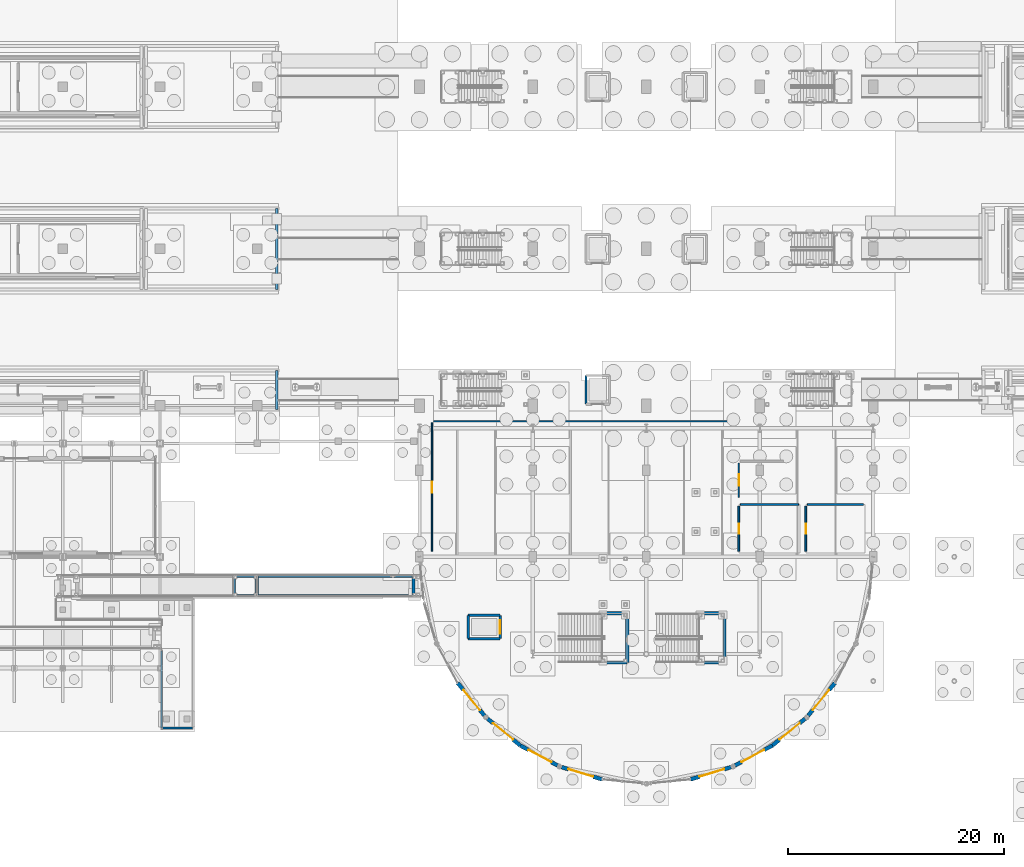
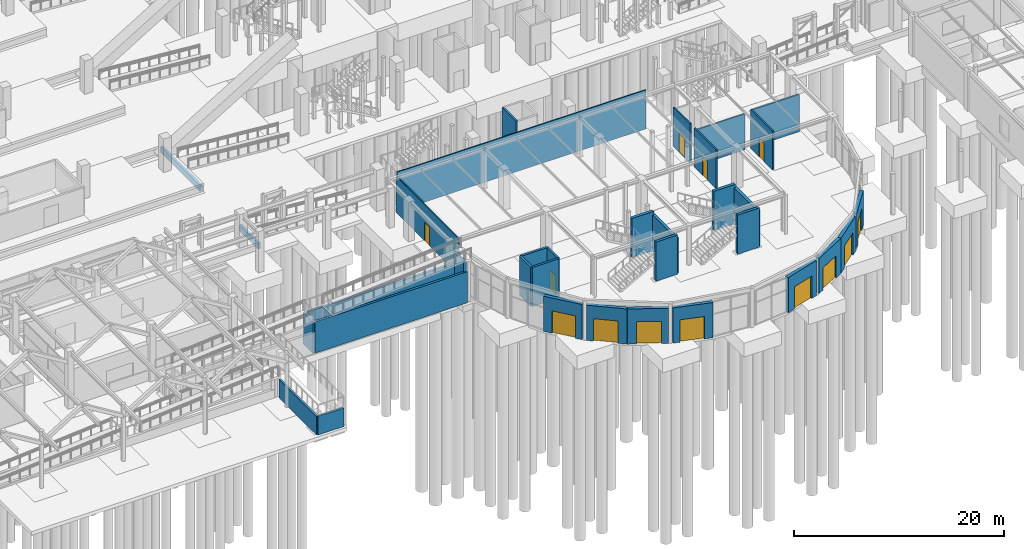
# One storey, part 100 of 160: 35 walls, 13 doors, 13 openings.
"""IFC4 building model written with IfcOpenShell, lengths in metres."""

from ifc_helpers import new_model, si_unit, direction, frame, frame_2d, origin, place, context, subcontext, project, spatial, rectangle, extrude, material, layer, layer_set, type_object, element, fill, save


model = new_model("IFC4")

# Units and contexts
model_context = context("Model", 3, precision=1e-05, world=origin(), true_north=direction((0.0, 1.0)))
body_context = subcontext(model_context, "Body", "Model", "MODEL_VIEW")
ifc_project = project(units=[si_unit("LENGTHUNIT", "METRE"), si_unit("AREAUNIT", "SQUARE_METRE"), si_unit("VOLUMEUNIT", "CUBIC_METRE"), si_unit("PLANEANGLEUNIT", "RADIAN"), si_unit("MASSUNIT", "GRAM", prefix="KILO")], contexts=[model_context])

# Site, building, storey
site_placement = place(None, origin())
site = spatial("IfcSite", under=ifc_project, at=site_placement, CompositionType="ELEMENT")
building_placement = place(site_placement, origin())
building = spatial("IfcBuilding", under=site, at=building_placement, Name="Marlcrest Central Station", CompositionType="ELEMENT")
storey_placement = place(building_placement, origin())
storey = spatial("IfcBuildingStorey", under=building, at=storey_placement, Name="L00", CompositionType="ELEMENT", Elevation=0.0)

# Walls
ifc_material_1 = material(Name="Concrete C40/50", Category="concrete")
ifc_layer_1 = layer(ifc_material_1, 0.199951171875, Name="EP-01")
ifc_layer_set_1 = layer_set([ifc_layer_1], Name="Concrete C40/50")
wall_type_1 = type_object("IfcWallType", Name="EP-01", PredefinedType="PARAPET", material=ifc_layer_set_1)
wall_1_placement = place(storey_placement, frame((63.14990234375, 6.64990234375, 0.0), z_axis=(0.0, 0.0, 1.0), x_axis=(1.0, 0.0, 0.0)))
element("IfcWall", 1, at=wall_1_placement, inside=storey, type_object=wall_type_1, Name="ewall-L00-0265", PredefinedType="PARAPET", context=body_context, shape_type="SweptSolid", body=[
    extrude(rectangle(XDim=2.85009765625, YDim=0.199951171875, at=frame_2d((1.425048828125, 0.0))), origin(), (0.0, 0.0, 1.0), 2.14990234375),
])
wall_2_placement = place(storey_placement, frame((63.14990234375, 6.64990234375, 0.0), z_axis=(0.0, 0.0, 1.0), x_axis=(0.0, 1.0, 0.0)))
element("IfcWall", 2, at=wall_2_placement, inside=storey, type_object=wall_type_1, Name="ewall-L00-0266", PredefinedType="PARAPET", context=body_context, shape_type="SweptSolid", body=[
    extrude(rectangle(XDim=7.150146484375, YDim=0.199951171875, at=frame_2d((3.5751953125, 0.0))), origin(), (0.0, 0.0, 1.0), 2.14990234375),
])

# Wall, opening, door
ifc_material_2 = material(Name="St. Thomas limestone on Concrete C40/50", Category="masonry")
ifc_layer_2 = layer(ifc_material_2, 0.360107421875, Name="EW-06")
ifc_layer_set_2 = layer_set([ifc_layer_2], Name="St. Thomas limestone on Concrete C40/50")
wall_type_2 = type_object("IfcWallType", Name="EW-06", PredefinedType="SOLIDWALL", material=ifc_layer_set_2)
wall_3_placement = place(storey_placement, frame((93.02490234375, 7.803955078125, 0.0), z_axis=(0.0, 0.0, 1.0), x_axis=(-0.634387261914, 0.773015395656, 0.0)))
wall_3 = element("IfcWall", 3, at=wall_3_placement, inside=storey, type_object=wall_type_2, Name="ewall-L00-0001", PredefinedType="SOLIDWALL", context=body_context, shape_type="SweptSolid", body=[
    extrude(rectangle(XDim=3.91845703125, YDim=0.360107421875, at=frame_2d((1.959228515625, 0.0))), origin(), (0.0, 0.0, 1.0), 4.10009765625),
])
opening_1_placement = place(wall_3_placement, frame((0.65087890625, 0.0, 0.0)))
opening_1 = element("IfcOpeningElement", 4, at=opening_1_placement, cuts=wall_3, Name="Opening ED-02", PredefinedType="OPENING", context=body_context, shape_type="SweptSolid", body=[
    extrude(rectangle(XDim=2.39990234375, YDim=2.60009765625, at=frame_2d((1.199951171875, 1.300048828125))), frame((0.0, 0.18994140625, 0.0), z_axis=(0.0, -1.0, 0.0), x_axis=(1.0, 0.0, 0.0)), (0.0, 0.0, 1.0), 0.380126953125),
])
ifc_material_3 = material(Name="Thermally broken anodised aluminium and laminated safety glass", Category="aluminium")
door_type_1 = type_object("IfcDoorType", Name="ED-02", OperationType="DOUBLE_DOOR_SINGLE_SWING", PredefinedType="DOOR", material=ifc_material_3)
door_1_placement = place(opening_1_placement, origin())
door_1 = element("IfcDoor", 5, at=door_1_placement, inside=storey, type_object=door_type_1, Name="South Concourse Pedestrian Exit Door 001", OperationType="DOUBLE_DOOR_SINGLE_SWING", OverallHeight=2.60009765625, OverallWidth=2.39990234375, PredefinedType="DOOR", context=body_context, shape_type="SweptSolid", body=[
    extrude(rectangle(XDim=2.39990234375, YDim=2.60009765625, at=frame_2d((1.199951171875, 1.300048828125))), frame((0.0, 0.02490234375, 0.0), z_axis=(0.0, -1.0, 0.0), x_axis=(1.0, 0.0, 0.0)), (0.0, 0.0, 1.0), 0.050048828125),
])
fill(opening_1, door_1)

wall_4_placement = place(storey_placement, frame((96.3330078125, 5.0390625, 0.0), z_axis=(0.0, 0.0, 1.0), x_axis=(-0.773015395656, 0.634387261914, 0.0)))
wall_4 = element("IfcWall", 6, at=wall_4_placement, inside=storey, type_object=wall_type_2, Name="ewall-L00-0002", PredefinedType="SOLIDWALL", context=body_context, shape_type="SweptSolid", body=[
    extrude(rectangle(XDim=3.91845703125, YDim=0.360107421875, at=frame_2d((1.959228515625, 0.0))), origin(), (0.0, 0.0, 1.0), 4.10009765625),
])
opening_2_placement = place(wall_4_placement, frame((0.84912109375, 0.0, 0.0)))
opening_2 = element("IfcOpeningElement", 7, at=opening_2_placement, cuts=wall_4, Name="Opening ED-02", PredefinedType="OPENING", context=body_context, shape_type="SweptSolid", body=[
    extrude(rectangle(XDim=2.39990234375, YDim=2.60009765625, at=frame_2d((1.199951171875, 1.300048828125))), frame((0.0, 0.18994140625, 0.0), z_axis=(0.0, -1.0, 0.0), x_axis=(1.0, 0.0, 0.0)), (0.0, 0.0, 1.0), 0.380126953125),
])
door_2_placement = place(opening_2_placement, origin())
door_2 = element("IfcDoor", 8, at=door_2_placement, inside=storey, type_object=door_type_1, Name="South Concourse Pedestrian Exit Door 002", OperationType="DOUBLE_DOOR_SINGLE_SWING", OverallHeight=2.60009765625, OverallWidth=2.39990234375, PredefinedType="DOOR", context=body_context, shape_type="SweptSolid", body=[
    extrude(rectangle(XDim=2.39990234375, YDim=2.60009765625, at=frame_2d((1.199951171875, 1.300048828125))), frame((0.0, 0.02490234375, 0.0), z_axis=(0.0, -1.0, 0.0), x_axis=(1.0, 0.0, 0.0)), (0.0, 0.0, 1.0), 0.050048828125),
])
fill(opening_2, door_2)

wall_5_placement = place(storey_placement, frame((99.7890625, 3.19189453125, 0.0), z_axis=(0.0, 0.0, 1.0), x_axis=(-0.881935241061, 0.471370587303, 0.0)))
wall_5 = element("IfcWall", 9, at=wall_5_placement, inside=storey, type_object=wall_type_2, Name="ewall-L00-0003", PredefinedType="SOLIDWALL", context=body_context, shape_type="SweptSolid", body=[
    extrude(rectangle(XDim=3.918701171875, YDim=0.360107421875, at=frame_2d((1.95947265625, 0.0))), origin(), (0.0, 0.0, 1.0), 4.10009765625),
])
opening_3_placement = place(wall_5_placement, frame((0.65087890625, 0.0, 0.0)))
opening_3 = element("IfcOpeningElement", 10, at=opening_3_placement, cuts=wall_5, Name="Opening ED-02", PredefinedType="OPENING", context=body_context, shape_type="SweptSolid", body=[
    extrude(rectangle(XDim=2.39990234375, YDim=2.60009765625, at=frame_2d((1.199951171875, 1.300048828125))), frame((0.0, 0.18994140625, 0.0), z_axis=(0.0, -1.0, 0.0), x_axis=(1.0, 0.0, 0.0)), (0.0, 0.0, 1.0), 0.380126953125),
])
door_3_placement = place(opening_3_placement, origin())
door_3 = element("IfcDoor", 11, at=door_3_placement, inside=storey, type_object=door_type_1, Name="South Concourse Pedestrian Exit Door 003", OperationType="DOUBLE_DOOR_SINGLE_SWING", OverallHeight=2.60009765625, OverallWidth=2.39990234375, PredefinedType="DOOR", context=body_context, shape_type="SweptSolid", body=[
    extrude(rectangle(XDim=2.39990234375, YDim=2.60009765625, at=frame_2d((1.199951171875, 1.300048828125))), frame((0.0, 0.02490234375, 0.0), z_axis=(0.0, -1.0, 0.0), x_axis=(1.0, 0.0, 0.0)), (0.0, 0.0, 1.0), 0.050048828125),
])
fill(opening_3, door_3)

wall_6_placement = place(storey_placement, frame((103.903076171875, 1.904052734375, 0.0), z_axis=(0.0, 0.0, 1.0), x_axis=(-0.956960962515, 0.290216671166, 0.0)))
wall_6 = element("IfcWall", 12, at=wall_6_placement, inside=storey, type_object=wall_type_2, Name="ewall-L00-0004", PredefinedType="SOLIDWALL", context=body_context, shape_type="SweptSolid", body=[
    extrude(rectangle(XDim=3.917724609375, YDim=0.360107421875, at=frame_2d((1.958984375, 0.0))), origin(), (0.0, 0.0, 1.0), 4.10009765625),
])
opening_4_placement = place(wall_6_placement, frame((0.84912109375, 0.0, 0.0)))
opening_4 = element("IfcOpeningElement", 13, at=opening_4_placement, cuts=wall_6, Name="Opening ED-02", PredefinedType="OPENING", context=body_context, shape_type="SweptSolid", body=[
    extrude(rectangle(XDim=2.39990234375, YDim=2.60009765625, at=frame_2d((1.199951171875, 1.300048828125))), frame((0.0, 0.18994140625, 0.0), z_axis=(0.0, -1.0, 0.0), x_axis=(1.0, 0.0, 0.0)), (0.0, 0.0, 1.0), 0.380126953125),
])
door_4_placement = place(opening_4_placement, origin())
door_4 = element("IfcDoor", 14, at=door_4_placement, inside=storey, type_object=door_type_1, Name="South Concourse Pedestrian Exit Door 004", OperationType="DOUBLE_DOOR_SINGLE_SWING", OverallHeight=2.60009765625, OverallWidth=2.39990234375, PredefinedType="DOOR", context=body_context, shape_type="SweptSolid", body=[
    extrude(rectangle(XDim=2.39990234375, YDim=2.60009765625, at=frame_2d((1.199951171875, 1.300048828125))), frame((0.0, 0.02490234375, 0.0), z_axis=(0.0, -1.0, 0.0), x_axis=(1.0, 0.0, 0.0)), (0.0, 0.0, 1.0), 0.050048828125),
])
fill(opening_4, door_4)

wall_7_placement = place(storey_placement, frame((115.845947265625, 3.041015625, 0.0), z_axis=(0.0, 0.0, 1.0), x_axis=(-0.956960962515, -0.290216671166, 0.0)))
wall_7 = element("IfcWall", 15, at=wall_7_placement, inside=storey, type_object=wall_type_2, Name="ewall-L00-0005", PredefinedType="SOLIDWALL", context=body_context, shape_type="SweptSolid", body=[
    extrude(rectangle(XDim=3.917724609375, YDim=0.360107421875, at=frame_2d((1.958984375, 0.0))), origin(), (0.0, 0.0, 1.0), 4.10009765625),
])
opening_5_placement = place(wall_7_placement, frame((0.65087890625, 0.0, 0.0)))
opening_5 = element("IfcOpeningElement", 16, at=opening_5_placement, cuts=wall_7, Name="Opening ED-02", PredefinedType="OPENING", context=body_context, shape_type="SweptSolid", body=[
    extrude(rectangle(XDim=2.39990234375, YDim=2.60009765625, at=frame_2d((1.199951171875, 1.300048828125))), frame((0.0, 0.18994140625, 0.0), z_axis=(0.0, -1.0, 0.0), x_axis=(1.0, 0.0, 0.0)), (0.0, 0.0, 1.0), 0.380126953125),
])
door_5_placement = place(opening_5_placement, origin())
door_5 = element("IfcDoor", 17, at=door_5_placement, inside=storey, type_object=door_type_1, Name="South Concourse Pedestrian Exit Door 005", OperationType="DOUBLE_DOOR_SINGLE_SWING", OverallHeight=2.60009765625, OverallWidth=2.39990234375, PredefinedType="DOOR", context=body_context, shape_type="SweptSolid", body=[
    extrude(rectangle(XDim=2.39990234375, YDim=2.60009765625, at=frame_2d((1.199951171875, 1.300048828125))), frame((0.0, 0.02490234375, 0.0), z_axis=(0.0, -1.0, 0.0), x_axis=(1.0, 0.0, 0.0)), (0.0, 0.0, 1.0), 0.050048828125),
])
fill(opening_5, door_5)

wall_8_placement = place(storey_placement, frame((119.6669921875, 5.0390625, 0.0), z_axis=(0.0, 0.0, 1.0), x_axis=(-0.881935241061, -0.471370587303, 0.0)))
wall_8 = element("IfcWall", 18, at=wall_8_placement, inside=storey, type_object=wall_type_2, Name="ewall-L00-0006", PredefinedType="SOLIDWALL", context=body_context, shape_type="SweptSolid", body=[
    extrude(rectangle(XDim=3.918701171875, YDim=0.360107421875, at=frame_2d((1.95947265625, 0.0))), origin(), (0.0, 0.0, 1.0), 4.10009765625),
])
opening_6_placement = place(wall_8_placement, frame((0.84912109375, 0.0, 0.0)))
opening_6 = element("IfcOpeningElement", 19, at=opening_6_placement, cuts=wall_8, Name="Opening ED-02", PredefinedType="OPENING", context=body_context, shape_type="SweptSolid", body=[
    extrude(rectangle(XDim=2.39990234375, YDim=2.60009765625, at=frame_2d((1.199951171875, 1.300048828125))), frame((0.0, 0.18994140625, 0.0), z_axis=(0.0, -1.0, 0.0), x_axis=(1.0, 0.0, 0.0)), (0.0, 0.0, 1.0), 0.380126953125),
])
door_6_placement = place(opening_6_placement, origin())
door_6 = element("IfcDoor", 20, at=door_6_placement, inside=storey, type_object=door_type_1, Name="South Concourse Pedestrian Exit Door 006", OperationType="DOUBLE_DOOR_SINGLE_SWING", OverallHeight=2.60009765625, OverallWidth=2.39990234375, PredefinedType="DOOR", context=body_context, shape_type="SweptSolid", body=[
    extrude(rectangle(XDim=2.39990234375, YDim=2.60009765625, at=frame_2d((1.199951171875, 1.300048828125))), frame((0.0, 0.02490234375, 0.0), z_axis=(0.0, -1.0, 0.0), x_axis=(1.0, 0.0, 0.0)), (0.0, 0.0, 1.0), 0.050048828125),
])
fill(opening_6, door_6)

wall_9_placement = place(storey_placement, frame((122.696044921875, 7.52490234375, 0.0), z_axis=(0.0, 0.0, 1.0), x_axis=(-0.773015395656, -0.634387261914, 0.0)))
wall_9 = element("IfcWall", 21, at=wall_9_placement, inside=storey, type_object=wall_type_2, Name="ewall-L00-0007", PredefinedType="SOLIDWALL", context=body_context, shape_type="SweptSolid", body=[
    extrude(rectangle(XDim=3.91845703125, YDim=0.360107421875, at=frame_2d((1.959228515625, 0.0))), origin(), (0.0, 0.0, 1.0), 4.10009765625),
])
opening_7_placement = place(wall_9_placement, frame((0.65087890625, 0.0, 0.0)))
opening_7 = element("IfcOpeningElement", 22, at=opening_7_placement, cuts=wall_9, Name="Opening ED-02", PredefinedType="OPENING", context=body_context, shape_type="SweptSolid", body=[
    extrude(rectangle(XDim=2.39990234375, YDim=2.60009765625, at=frame_2d((1.199951171875, 1.300048828125))), frame((0.0, 0.18994140625, 0.0), z_axis=(0.0, -1.0, 0.0), x_axis=(1.0, 0.0, 0.0)), (0.0, 0.0, 1.0), 0.380126953125),
])
door_7_placement = place(opening_7_placement, origin())
door_7 = element("IfcDoor", 23, at=door_7_placement, inside=storey, type_object=door_type_1, Name="South Concourse Pedestrian Exit Door 007", OperationType="DOUBLE_DOOR_SINGLE_SWING", OverallHeight=2.60009765625, OverallWidth=2.39990234375, PredefinedType="DOOR", context=body_context, shape_type="SweptSolid", body=[
    extrude(rectangle(XDim=2.39990234375, YDim=2.60009765625, at=frame_2d((1.199951171875, 1.300048828125))), frame((0.0, 0.02490234375, 0.0), z_axis=(0.0, -1.0, 0.0), x_axis=(1.0, 0.0, 0.0)), (0.0, 0.0, 1.0), 0.050048828125),
])
fill(opening_7, door_7)

wall_10_placement = place(storey_placement, frame((125.4609375, 10.8330078125, 0.0), z_axis=(0.0, 0.0, 1.0), x_axis=(-0.634387261914, -0.773015395656, 0.0)))
wall_10 = element("IfcWall", 24, at=wall_10_placement, inside=storey, type_object=wall_type_2, Name="ewall-L00-0008", PredefinedType="SOLIDWALL", context=body_context, shape_type="SweptSolid", body=[
    extrude(rectangle(XDim=3.91845703125, YDim=0.360107421875, at=frame_2d((1.959228515625, 0.0))), origin(), (0.0, 0.0, 1.0), 4.10009765625),
])
opening_8_placement = place(wall_10_placement, frame((0.84912109375, 0.0, 0.0)))
opening_8 = element("IfcOpeningElement", 25, at=opening_8_placement, cuts=wall_10, Name="Opening ED-02", PredefinedType="OPENING", context=body_context, shape_type="SweptSolid", body=[
    extrude(rectangle(XDim=2.39990234375, YDim=2.60009765625, at=frame_2d((1.199951171875, 1.300048828125))), frame((0.0, 0.18994140625, 0.0), z_axis=(0.0, -1.0, 0.0), x_axis=(1.0, 0.0, 0.0)), (0.0, 0.0, 1.0), 0.380126953125),
])
door_8_placement = place(opening_8_placement, origin())
door_8 = element("IfcDoor", 26, at=door_8_placement, inside=storey, type_object=door_type_1, Name="South Concourse Pedestrian Exit Door 008", OperationType="DOUBLE_DOOR_SINGLE_SWING", OverallHeight=2.60009765625, OverallWidth=2.39990234375, PredefinedType="DOOR", context=body_context, shape_type="SweptSolid", body=[
    extrude(rectangle(XDim=2.39990234375, YDim=2.60009765625, at=frame_2d((1.199951171875, 1.300048828125))), frame((0.0, 0.02490234375, 0.0), z_axis=(0.0, -1.0, 0.0), x_axis=(1.0, 0.0, 0.0)), (0.0, 0.0, 1.0), 0.050048828125),
])
fill(opening_8, door_8)

ifc_material_4 = material(Name="Acoustic steel-stud gypsum board partition", Category="steel")
ifc_layer_3 = layer(ifc_material_4, 0.1201171875, Name="PT-01")
ifc_layer_set_3 = layer_set([ifc_layer_3], Name="Acoustic steel-stud gypsum board partition")
wall_type_3 = type_object("IfcWallType", Name="PT-01", PredefinedType="PARTITIONING", material=ifc_layer_set_3)
wall_11_placement = place(storey_placement, frame((88.159912109375, 34.889892578125, 0.0), z_axis=(0.0, 0.0, 1.0), x_axis=(0.0, -1.0, 0.0)))
wall_11 = element("IfcWall", 27, at=wall_11_placement, inside=storey, type_object=wall_type_3, Name="iwall-L00-00028", PredefinedType="PARTITIONING", context=body_context, shape_type="SweptSolid", body=[
    extrude(rectangle(XDim=11.8798828125, YDim=0.1201171875, at=frame_2d((5.93994140625, 0.0))), origin(), (0.0, 0.0, 1.0), 4.18505859375),
])
opening_9_placement = place(wall_11_placement, frame((5.43994140625, 0.0, 0.0)))
opening_9 = element("IfcOpeningElement", 28, at=opening_9_placement, cuts=wall_11, Name="Opening ID-02", PredefinedType="OPENING", context=body_context, shape_type="SweptSolid", body=[
    extrude(rectangle(XDim=1.0, YDim=2.14990234375, at=frame_2d((0.5, 1.074951171875))), frame((0.0, 0.070068359375, 0.0), z_axis=(0.0, -1.0, 0.0), x_axis=(1.0, 0.0, 0.0)), (0.0, 0.0, 1.0), 0.14013671875),
])
ifc_material_5 = material(Name="Solid-core hardwood office door", Category="wood")
door_type_2 = type_object("IfcDoorType", Name="ID-02", OperationType="NOTDEFINED", PredefinedType="DOOR", material=ifc_material_5)
door_9_placement = place(opening_9_placement, origin())
door_9 = element("IfcDoor", 29, at=door_9_placement, inside=storey, type_object=door_type_2, Name="L00-V2B 0020", OperationType="SINGLE_SWING_LEFT", OverallHeight=2.14990234375, OverallWidth=1.0, PredefinedType="DOOR", context=body_context, shape_type="SweptSolid", body=[
    extrude(rectangle(XDim=1.0, YDim=2.14990234375, at=frame_2d((0.5, 1.074951171875))), frame((0.0, 0.02490234375, 0.0), z_axis=(0.0, -1.0, 0.0), x_axis=(1.0, 0.0, 0.0)), (0.0, 0.0, 1.0), 0.050048828125),
])
fill(opening_9, door_9)

# Wall
wall_12_placement = place(storey_placement, frame((88.31005859375, 35.0400390625, 0.0), z_axis=(0.0, 0.0, 1.0), x_axis=(1.0, 0.0, 0.0)))
element("IfcWall", 30, at=wall_12_placement, inside=storey, type_object=wall_type_3, Name="iwall-L00-00029", PredefinedType="PARTITIONING", context=body_context, shape_type="SweptSolid", body=[
    extrude(rectangle(XDim=27.3798828125, YDim=0.1201171875, at=frame_2d((13.68994140625, 0.0))), origin(), (0.0, 0.0, 1.0), 4.550048828125),
])

# Wall, opening, door
ifc_material_6 = material(Name="Moisture-resistant tiled sanitary partition")
ifc_layer_4 = layer(ifc_material_6, 0.159912109375, Name="PT-03")
ifc_layer_set_4 = layer_set([ifc_layer_4], Name="Moisture-resistant tiled sanitary partition")
wall_type_4 = type_object("IfcWallType", Name="PT-03", PredefinedType="PARTITIONING", material=ifc_layer_set_4)
wall_13_placement = place(storey_placement, frame((116.56005859375, 27.18994140625, 0.0), z_axis=(0.0, 0.0, 1.0), x_axis=(0.0, -1.0, 0.0)))
wall_13 = element("IfcWall", 31, at=wall_13_placement, inside=storey, type_object=wall_type_4, Name="iwall-L00-00030", PredefinedType="PARTITIONING", context=body_context, shape_type="SweptSolid", body=[
    extrude(rectangle(XDim=4.179931640625, YDim=0.159912109375, at=frame_2d((2.08984375, 0.0))), origin(), (0.0, 0.0, 1.0), 4.550048828125),
])
opening_10_placement = place(wall_13_placement, frame((1.614990234375, 0.0, 0.0)))
opening_10 = element("IfcOpeningElement", 32, at=opening_10_placement, cuts=wall_13, Name="Opening ID-01", PredefinedType="OPENING", context=body_context, shape_type="SweptSolid", body=[
    extrude(rectangle(XDim=0.949951171875, YDim=2.14990234375, at=frame_2d((0.47509765625, 1.074951171875))), frame((0.0, 0.08984375, 0.0), z_axis=(0.0, -1.0, 0.0), x_axis=(1.0, 0.0, 0.0)), (0.0, 0.0, 1.0), 0.179931640625),
])
ifc_material_7 = material(Name="Solid-core hardwood acoustic door", Category="wood")
door_type_3 = type_object("IfcDoorType", Name="ID-01", OperationType="NOTDEFINED", PredefinedType="DOOR", material=ifc_material_7)
door_10_placement = place(opening_10_placement, origin())
door_10 = element("IfcDoor", 33, at=door_10_placement, inside=storey, type_object=door_type_3, Name="L00-WC-S1 0021", OperationType="SINGLE_SWING_RIGHT", OverallHeight=2.14990234375, OverallWidth=0.949951171875, PredefinedType="DOOR", context=body_context, shape_type="SweptSolid", body=[
    extrude(rectangle(XDim=0.949951171875, YDim=2.14990234375, at=frame_2d((0.47509765625, 1.074951171875))), frame((0.0, 0.02490234375, 0.0), z_axis=(0.0, -1.0, 0.0), x_axis=(1.0, 0.0, 0.0)), (0.0, 0.0, 1.0), 0.050048828125),
])
fill(opening_10, door_10)

# Wall
wall_14_placement = place(storey_placement, frame((116.7099609375, 27.340087890625, 0.0), z_axis=(0.0, 0.0, 1.0), x_axis=(1.0, 0.0, 0.0)))
element("IfcWall", 34, at=wall_14_placement, inside=storey, type_object=wall_type_4, Name="iwall-L00-00031", PredefinedType="PARTITIONING", context=body_context, shape_type="SweptSolid", body=[
    extrude(rectangle(XDim=5.380126953125, YDim=0.159912109375, at=frame_2d((2.68994140625, 0.0))), origin(), (0.0, 0.0, 1.0), 4.18505859375),
])

# Wall, opening, door
wall_15_placement = place(storey_placement, frame((122.760009765625, 27.18994140625, 0.0), z_axis=(0.0, 0.0, 1.0), x_axis=(0.0, -1.0, 0.0)))
wall_15 = element("IfcWall", 35, at=wall_15_placement, inside=storey, type_object=wall_type_4, Name="iwall-L00-00032", PredefinedType="PARTITIONING", context=body_context, shape_type="SweptSolid", body=[
    extrude(rectangle(XDim=4.179931640625, YDim=0.159912109375, at=frame_2d((2.08984375, 0.0))), origin(), (0.0, 0.0, 1.0), 4.550048828125),
])
opening_11_placement = place(wall_15_placement, frame((1.614990234375, 0.0, 0.0)))
opening_11 = element("IfcOpeningElement", 36, at=opening_11_placement, cuts=wall_15, Name="Opening ID-01", PredefinedType="OPENING", context=body_context, shape_type="SweptSolid", body=[
    extrude(rectangle(XDim=0.949951171875, YDim=2.14990234375, at=frame_2d((0.47509765625, 1.074951171875))), frame((0.0, 0.08984375, 0.0), z_axis=(0.0, -1.0, 0.0), x_axis=(1.0, 0.0, 0.0)), (0.0, 0.0, 1.0), 0.179931640625),
])
door_11_placement = place(opening_11_placement, origin())
door_11 = element("IfcDoor", 37, at=door_11_placement, inside=storey, type_object=door_type_3, Name="L00-WC-S2 0022", OperationType="SINGLE_SWING_LEFT", OverallHeight=2.14990234375, OverallWidth=0.949951171875, PredefinedType="DOOR", context=body_context, shape_type="SweptSolid", body=[
    extrude(rectangle(XDim=0.949951171875, YDim=2.14990234375, at=frame_2d((0.47509765625, 1.074951171875))), frame((0.0, 0.02490234375, 0.0), z_axis=(0.0, -1.0, 0.0), x_axis=(1.0, 0.0, 0.0)), (0.0, 0.0, 1.0), 0.050048828125),
])
fill(opening_11, door_11)

# Wall
wall_16_placement = place(storey_placement, frame((122.909912109375, 27.340087890625, 0.0), z_axis=(0.0, 0.0, 1.0), x_axis=(1.0, 0.0, 0.0)))
element("IfcWall", 38, at=wall_16_placement, inside=storey, type_object=wall_type_4, Name="iwall-L00-00033", PredefinedType="PARTITIONING", context=body_context, shape_type="SweptSolid", body=[
    extrude(rectangle(XDim=5.18017578125, YDim=0.159912109375, at=frame_2d((2.590087890625, 0.0))), origin(), (0.0, 0.0, 1.0), 4.35498046875),
])

# Wall, opening, door
wall_17_placement = place(storey_placement, frame((116.56005859375, 31.18994140625, 0.0), z_axis=(0.0, 0.0, 1.0), x_axis=(0.0, -1.0, 0.0)))
wall_17 = element("IfcWall", 39, at=wall_17_placement, inside=storey, type_object=wall_type_4, Name="iwall-L00-00034", PredefinedType="PARTITIONING", context=body_context, shape_type="SweptSolid", body=[
    extrude(rectangle(XDim=3.179931640625, YDim=0.159912109375, at=frame_2d((1.58984375, 0.0))), origin(), (0.0, 0.0, 1.0), 4.550048828125),
])
opening_12_placement = place(wall_17_placement, frame((1.06494140625, 0.0, 0.0)))
opening_12 = element("IfcOpeningElement", 40, at=opening_12_placement, cuts=wall_17, Name="Opening ID-03", PredefinedType="OPENING", context=body_context, shape_type="SweptSolid", body=[
    extrude(rectangle(XDim=1.050048828125, YDim=2.199951171875, at=frame_2d((0.52490234375, 1.10009765625))), frame((0.0, 0.08984375, 0.0), z_axis=(0.0, -1.0, 0.0), x_axis=(1.0, 0.0, 0.0)), (0.0, 0.0, 1.0), 0.179931640625),
])
ifc_material_8 = material(Name="Accessible sanitary outward-opening door")
door_type_4 = type_object("IfcDoorType", Name="ID-03", OperationType="NOTDEFINED", PredefinedType="DOOR", material=ifc_material_8)
door_12_placement = place(opening_12_placement, origin())
door_12 = element("IfcDoor", 41, at=door_12_placement, inside=storey, type_object=door_type_4, Name="L00-WC-SA 0023", OperationType="SINGLE_SWING_RIGHT", OverallHeight=2.199951171875, OverallWidth=1.050048828125, PredefinedType="DOOR", context=body_context, shape_type="SweptSolid", body=[
    extrude(rectangle(XDim=1.050048828125, YDim=2.199951171875, at=frame_2d((0.52490234375, 1.10009765625))), frame((0.0, 0.02490234375, 0.0), z_axis=(0.0, -1.0, 0.0), x_axis=(1.0, 0.0, 0.0)), (0.0, 0.0, 1.0), 0.050048828125),
])
fill(opening_12, door_12)

# Walls
ifc_material_9 = material(Name="Concrete C35/45", Category="concrete")
ifc_layer_5 = layer(ifc_material_9, 0.27490234375, Name="PW-01")
ifc_layer_set_5 = layer_set([ifc_layer_5], Name="Concrete C35/45")
wall_type_5 = type_object("IfcWallType", Name="PW-01", PredefinedType="SOLIDWALL", material=ifc_layer_set_5)
wall_18_placement = place(storey_placement, frame((73.800048828125, 36.14990234375, 0.0), z_axis=(0.0, 0.0, 1.0), x_axis=(0.0, 1.0, 0.0)))
element("IfcWall", 42, at=wall_18_placement, inside=storey, type_object=wall_type_5, Name="swall-L00-0065", PredefinedType="SOLIDWALL", context=body_context, shape_type="SweptSolid", body=[
    extrude(rectangle(XDim=3.60009765625, YDim=0.27490234375, at=frame_2d((1.800048828125, 0.0))), origin(), (0.0, 0.0, 1.0), 0.675048828125),
])
wall_19_placement = place(storey_placement, frame((73.800048828125, 47.25, 0.0), z_axis=(0.0, 0.0, 1.0), x_axis=(0.0, 1.0, 0.0)))
element("IfcWall", 43, at=wall_19_placement, inside=storey, type_object=wall_type_5, Name="swall-L00-0087", PredefinedType="SOLIDWALL", context=body_context, shape_type="SweptSolid", body=[
    extrude(rectangle(XDim=7.5, YDim=0.27490234375, at=frame_2d((3.75, 0.0))), origin(), (0.0, 0.0, 1.0), 0.675048828125),
])
ifc_layer_6 = layer(ifc_material_1, 0.449951171875, Name="RW-01")
ifc_layer_set_6 = layer_set([ifc_layer_6], Name="Concrete C40/50")
wall_type_6 = type_object("IfcWallType", Name="RW-01", PredefinedType="USERDEFINED", material=ifc_layer_set_6)
for number, where, z_axis, x_axis, name in (
    (44, (69.85009765625, 18.85009765625, -0.25), (0.0, 0.0, 1.0), (0.0, 1.0, 0.0), "rw-rmp-2-T3"),
    (45, (71.949951171875, 18.85009765625, -0.25), (0.0, 0.0, 1.0), (0.0, 1.0, 0.0), "rw-rmp-2-T4"),
):
    element("IfcWall", number, at=place(storey_placement, frame(where, z_axis=z_axis, x_axis=x_axis)), inside=storey, type_object=wall_type_6, Name=name, ObjectType="RETAINING_WALL", PredefinedType="USERDEFINED", context=body_context, shape_type="SweptSolid", body=[
        extrude(rectangle(XDim=1.89990234375, YDim=0.300048828125, at=frame_2d((0.949951171875, 0.0))), origin(), (0.0, 0.0, 1.0), 3.6298828125),
    ])
wall_20_placement = place(storey_placement, frame((86.449951171875, 18.85009765625, -0.25), z_axis=(0.0, 0.0, 1.0), x_axis=(0.0, 1.0, 0.0)))
element("IfcWall", 46, at=wall_20_placement, inside=storey, type_object=wall_type_6, Name="rw-rmp-2-T5", ObjectType="RETAINING_WALL", PredefinedType="USERDEFINED", context=body_context, shape_type="SweptSolid", body=[
    extrude(rectangle(XDim=1.89990234375, YDim=0.300048828125, at=frame_2d((0.949951171875, 0.0))), origin(), (0.0, 0.0, 1.0), 4.830078125),
])
for number, where, z_axis, x_axis, name in (
    (47, (69.89990234375, 18.89990234375, -0.25), (0.0, 0.0, 1.0), (1.0, 0.0, 0.0), "rw-rmp-2-S2"),
    (48, (69.89990234375, 20.699951171875, -0.25), (0.0, 0.0, 1.0), (1.0, 0.0, 0.0), "rw-rmp-2-N2"),
):
    element("IfcWall", number, at=place(storey_placement, frame(where, z_axis=z_axis, x_axis=x_axis)), inside=storey, type_object=wall_type_6, Name=name, ObjectType="RETAINING_WALL", PredefinedType="USERDEFINED", context=body_context, shape_type="SweptSolid", body=[
        extrude(rectangle(XDim=16.75, YDim=0.25, at=frame_2d((8.375, 0.0))), origin(), (0.0, 0.0, 1.0), 3.6298828125),
    ])
ifc_layer_7 = layer(ifc_material_1, 0.22998046875, Name="SHW-01")
ifc_layer_set_7 = layer_set([ifc_layer_7], Name="Concrete C40/50")
wall_type_7 = type_object("IfcWallType", Name="SHW-01", PredefinedType="SOLIDWALL", material=ifc_layer_set_7)
for number, where, z_axis, x_axis, name in (
    (49, (91.52001953125, 17.080078125, 0.0), (0.0, 0.0, 1.0), (1.0, 0.0, 0.0), "iwall-L00-00287"),
    (50, (94.47998046875, 14.919921875, 0.0), (0.0, 0.0, 1.0), (-1.0, 0.0, 0.0), "iwall-L00-00288"),
):
    element("IfcWall", number, at=place(storey_placement, frame(where, z_axis=z_axis, x_axis=x_axis)), inside=storey, type_object=wall_type_7, Name=name, PredefinedType="SOLIDWALL", context=body_context, shape_type="SweptSolid", body=[
        extrude(rectangle(XDim=2.9599609375, YDim=0.22998046875, at=frame_2d((1.47998046875, 0.0))), origin(), (0.0, 0.0, 1.0), 4.56005859375),
    ])
wall_21_placement = place(storey_placement, frame((91.52001953125, 14.919921875, 0.0), z_axis=(0.0, 0.0, 1.0), x_axis=(0.0, 1.0, 0.0)))
element("IfcWall", 51, at=wall_21_placement, inside=storey, type_object=wall_type_7, Name="iwall-L00-00289", PredefinedType="SOLIDWALL", context=body_context, shape_type="SweptSolid", body=[
    extrude(rectangle(XDim=2.16015625, YDim=0.22998046875, at=frame_2d((1.080078125, 0.0))), origin(), (0.0, 0.0, 1.0), 4.56005859375),
])

# Wall, opening, door
wall_22_placement = place(storey_placement, frame((94.47998046875, 17.080078125, 0.0), z_axis=(0.0, 0.0, 1.0), x_axis=(0.0, -1.0, 0.0)))
wall_22 = element("IfcWall", 52, at=wall_22_placement, inside=storey, type_object=wall_type_7, Name="iwall-L00-00290", PredefinedType="SOLIDWALL", context=body_context, shape_type="SweptSolid", body=[
    extrude(rectangle(XDim=2.16015625, YDim=0.22998046875, at=frame_2d((1.080078125, 0.0))), origin(), (0.0, 0.0, 1.0), 4.56005859375),
])
opening_13_placement = place(wall_22_placement, frame((0.455078125, 0.0, 0.0)))
opening_13 = element("IfcOpeningElement", 53, at=opening_13_placement, cuts=wall_22, Name="Opening LD-02", PredefinedType="OPENING", context=body_context, shape_type="SweptSolid", body=[
    extrude(rectangle(XDim=1.25, YDim=2.199951171875, at=frame_2d((0.625, 1.10009765625))), frame((0.0, 0.125, 0.0), z_axis=(0.0, -1.0, 0.0), x_axis=(1.0, 0.0, 0.0)), (0.0, 0.0, 1.0), 0.25),
])
ifc_material_10 = material(Name="Stainless steel stretcher/firefighting lift landing door", Category="steel")
door_type_5 = type_object("IfcDoorType", Name="LD-02", OperationType="DOUBLE_DOOR_SLIDING", PredefinedType="DOOR", material=ifc_material_10)
door_13_placement = place(opening_13_placement, origin())
door_13 = element("IfcDoor", 54, at=door_13_placement, inside=storey, type_object=door_type_5, Name="LF-C1 Lift Landing Door 0142", OperationType="DOUBLE_DOOR_SLIDING", OverallHeight=2.199951171875, OverallWidth=1.25, PredefinedType="DOOR", context=body_context, shape_type="SweptSolid", body=[
    extrude(rectangle(XDim=1.25, YDim=2.199951171875, at=frame_2d((0.625, 1.10009765625))), frame((0.0, 0.02490234375, 0.0), z_axis=(0.0, -1.0, 0.0), x_axis=(1.0, 0.0, 0.0)), (0.0, 0.0, 1.0), 0.050048828125),
])
fill(opening_13, door_13)

# Walls
ifc_layer_8 = layer(ifc_material_9, 0.205078125, Name="SHW-03")
ifc_layer_set_8 = layer_set([ifc_layer_8], Name="Concrete C35/45")
wall_type_8 = type_object("IfcWallType", Name="SHW-03", PredefinedType="SOLIDWALL", material=ifc_layer_set_8)
wall_23_placement = place(storey_placement, frame((102.419921875, 36.6201171875, 0.0), z_axis=(0.0, 0.0, 1.0), x_axis=(0.0, 1.0, 0.0)))
element("IfcWall", 55, at=wall_23_placement, inside=storey, type_object=wall_type_8, Name="iwall-L00-00225", PredefinedType="SOLIDWALL", context=body_context, shape_type="SweptSolid", body=[
    extrude(rectangle(XDim=2.659912109375, YDim=0.205078125, at=frame_2d((1.330078125, 0.0))), origin(), (0.0, 0.0, 1.0), 4.56005859375),
])
ifc_material_11 = material(Name="Concrete C50/60", Category="concrete")
ifc_layer_9 = layer(ifc_material_11, 0.300048828125, Name="SW-02")
ifc_layer_set_9 = layer_set([ifc_layer_9], Name="Concrete C50/60")
wall_type_9 = type_object("IfcWallType", Name="SW-02", PredefinedType="SHEAR", material=ifc_layer_set_9)
wall_24_placement = place(storey_placement, frame((103.830078125, 12.719970703125, 0.0), z_axis=(0.0, 0.0, 1.0), x_axis=(1.0, 0.0, 0.0)))
element("IfcWall", 56, at=wall_24_placement, inside=storey, type_object=wall_type_9, Name="htsw-0031-S", PredefinedType="SHEAR", context=body_context, shape_type="SweptSolid", body=[
    extrude(rectangle(XDim=2.39990234375, YDim=0.300048828125, at=frame_2d((1.199951171875, 0.0))), origin(), (0.0, 0.0, 1.0), 4.550048828125),
])
wall_25_placement = place(storey_placement, frame((106.22998046875, 12.719970703125, 0.0), z_axis=(0.0, 0.0, 1.0), x_axis=(0.0, 1.0, 0.0)))
element("IfcWall", 57, at=wall_25_placement, inside=storey, type_object=wall_type_9, Name="htsw-0031-E", PredefinedType="SHEAR", context=body_context, shape_type="SweptSolid", body=[
    extrude(rectangle(XDim=4.56005859375, YDim=0.300048828125, at=frame_2d((2.280029296875, 0.0))), origin(), (0.0, 0.0, 1.0), 4.18505859375),
])
for number, where, z_axis, x_axis, name in (
    (58, (106.22998046875, 17.280029296875, 0.0), (0.0, 0.0, 1.0), (-1.0, 0.0, 0.0), "htsw-0031-N"),
    (59, (112.830078125, 12.719970703125, 0.0), (0.0, 0.0, 1.0), (1.0, 0.0, 0.0), "htsw-0032-S"),
):
    element("IfcWall", number, at=place(storey_placement, frame(where, z_axis=z_axis, x_axis=x_axis)), inside=storey, type_object=wall_type_9, Name=name, PredefinedType="SHEAR", context=body_context, shape_type="SweptSolid", body=[
        extrude(rectangle(XDim=2.39990234375, YDim=0.300048828125, at=frame_2d((1.199951171875, 0.0))), origin(), (0.0, 0.0, 1.0), 4.550048828125),
    ])
wall_26_placement = place(storey_placement, frame((115.22998046875, 12.719970703125, 0.0), z_axis=(0.0, 0.0, 1.0), x_axis=(0.0, 1.0, 0.0)))
element("IfcWall", 60, at=wall_26_placement, inside=storey, type_object=wall_type_9, Name="htsw-0032-E", PredefinedType="SHEAR", context=body_context, shape_type="SweptSolid", body=[
    extrude(rectangle(XDim=4.56005859375, YDim=0.300048828125, at=frame_2d((2.280029296875, 0.0))), origin(), (0.0, 0.0, 1.0), 4.18505859375),
])
wall_27_placement = place(storey_placement, frame((115.22998046875, 17.280029296875, 0.0), z_axis=(0.0, 0.0, 1.0), x_axis=(-1.0, 0.0, 0.0)))
element("IfcWall", 61, at=wall_27_placement, inside=storey, type_object=wall_type_9, Name="htsw-0032-N", PredefinedType="SHEAR", context=body_context, shape_type="SweptSolid", body=[
    extrude(rectangle(XDim=2.39990234375, YDim=0.300048828125, at=frame_2d((1.199951171875, 0.0))), origin(), (0.0, 0.0, 1.0), 4.550048828125),
])

save(model, "model.ifc")
